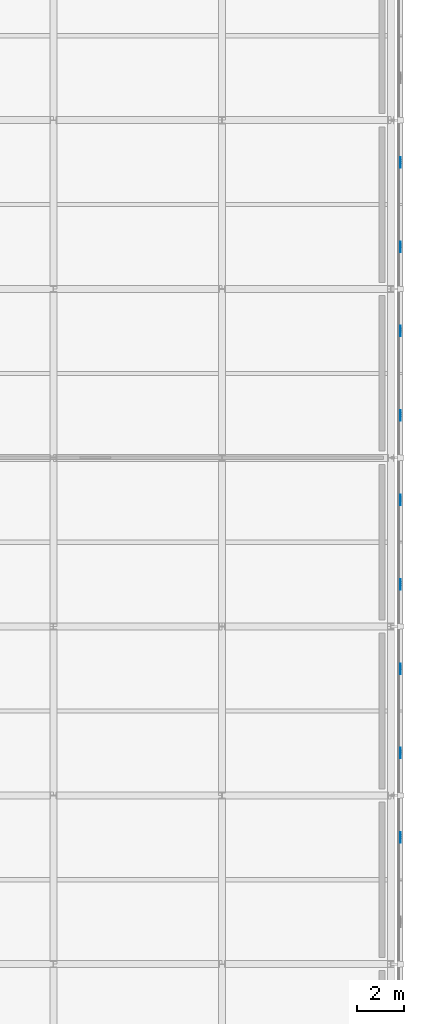
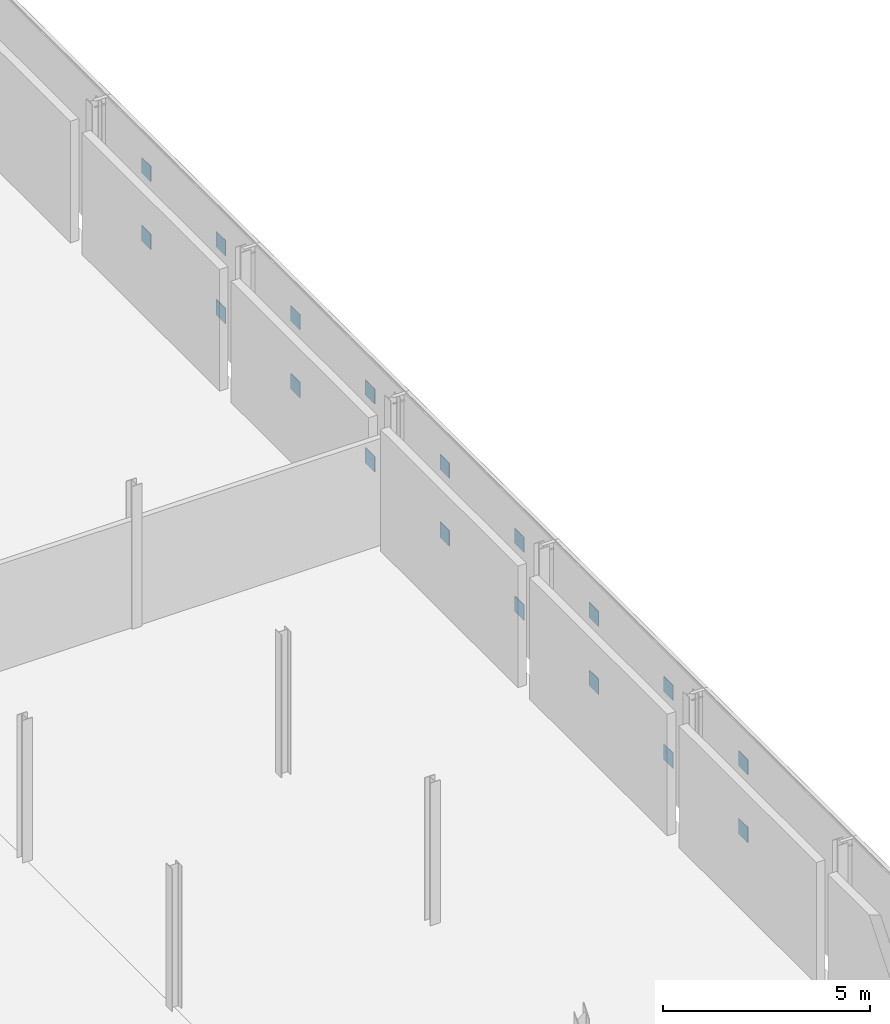
# One storey, part 114 of 146: 18 plates.
"""IFC4 building model written with IfcOpenShell, lengths in metres."""

import ifcopenshell
import ifcopenshell.guid

model = None  # the IFC model being written
_history = None  # IfcOwnerHistory: only IFC2X3 demands one
_inside = {}  # id of a spatial element -> (the spatial element, [elements in it])
_under = {}  # id of a project, library or spatial element -> (it, [spatial elements below it])
_declared = {}  # id of a project -> (the project, [libraries it declares])
_typed = {}  # id of a type object -> (the type object, [elements of that type])
_made_of = {}  # id of a material, layer set ... -> (it, [elements and type objects made of it])


def new_model(schema):
    """Start an empty IFC model of exactly this schema.

    Asked for "IFC4X3", IfcOpenShell would pick the latest addendum, in which some entities
    have other attributes; the version numbers below select the first issue.
    IFC2X3 requires an IfcOwnerHistory on every rooted entity: one is made here for all.
    """
    global model, _history
    if schema == "IFC4X3":
        model = ifcopenshell.file(schema_version=(4, 3, 0, 0))
    else:
        model = ifcopenshell.file(schema=schema)
    _inside.clear()
    _under.clear()
    _declared.clear()
    _typed.clear()
    _made_of.clear()
    _history = None
    if model.schema == "IFC2X3":
        org = make("IfcOrganization", Name="unknown")
        user = make(
            "IfcPersonAndOrganization",
            ThePerson=make("IfcPerson", FamilyName="unknown"),
            TheOrganization=org,
        )
        app = make(
            "IfcApplication",
            ApplicationDeveloper=org,
            Version="unknown",
            ApplicationFullName="unknown",
            ApplicationIdentifier="unknown",
        )
        _history = make(
            "IfcOwnerHistory",
            OwningUser=user,
            OwningApplication=app,
            ChangeAction="ADDED",
            CreationDate=0,
        )
    return model


def make(cls, **values):
    """One entity of the class cls with the attributes given. An attribute that is None is left unset."""
    return model.create_entity(
        cls, **{name: value for name, value in values.items() if value is not None}
    )


def rooted(cls, **values):
    """An entity with a GlobalId (a new one), such as an element, a storey or a relation."""
    return make(cls, GlobalId=ifcopenshell.guid.new(), OwnerHistory=_history, **values)


def si_unit(unit_type, name, prefix=None):
    """IfcSIUnit, for example si_unit("LENGTHUNIT", "METRE", prefix="MILLI")."""
    return make("IfcSIUnit", UnitType=unit_type, Prefix=prefix, Name=name)


def assignment(units):
    """IfcUnitAssignment: the units of a project."""
    return None if units is None else make("IfcUnitAssignment", Units=units)


def point(xyz):
    """IfcCartesianPoint."""
    return None if xyz is None else make("IfcCartesianPoint", Coordinates=xyz)


def direction(xyz):
    """IfcDirection."""
    return None if xyz is None else make("IfcDirection", DirectionRatios=xyz)


def frame(location, z_axis=None, x_axis=None):
    """IfcAxis2Placement3D, a coordinate frame: its origin and axes. An axis left out is left unset."""
    return make(
        "IfcAxis2Placement3D",
        Location=point(location),
        Axis=direction(z_axis),
        RefDirection=direction(x_axis),
    )


def frame_2d(location, x_axis=None):
    """IfcAxis2Placement2D, a coordinate frame in the plane: its origin and x axis."""
    return make(
        "IfcAxis2Placement2D", Location=point(location), RefDirection=direction(x_axis)
    )


def origin():
    """The frame at (0, 0, 0) with its axes left unset."""
    return frame((0.0, 0.0, 0.0))


def origin_2d():
    """The frame at (0, 0) in the plane with its x axis left unset."""
    return frame_2d((0.0, 0.0))


def place(relative_to, where):
    """IfcLocalPlacement: puts the frame where relative to a parent placement (None: the world)."""
    return make(
        "IfcLocalPlacement", PlacementRelTo=relative_to, RelativePlacement=where
    )


def context(
    kind, dimensions, precision=None, world=None, true_north=None, identifier=None
):
    """IfcGeometricRepresentationContext, for example the 3D "Model" context."""
    return make(
        "IfcGeometricRepresentationContext",
        ContextIdentifier=identifier,
        ContextType=kind,
        CoordinateSpaceDimension=dimensions,
        Precision=precision,
        WorldCoordinateSystem=world,
        TrueNorth=true_north,
    )


def subcontext(parent, identifier, kind, view, scale=None):
    """IfcGeometricRepresentationSubContext, for example "Body" below "Model"."""
    return make(
        "IfcGeometricRepresentationSubContext",
        ContextIdentifier=identifier,
        ContextType=kind,
        ParentContext=parent,
        TargetScale=scale,
        TargetView=view,
    )


def project(units=None, contexts=None):
    """IfcProject with its units and contexts."""
    return rooted(
        "IfcProject",
        Name="project",
        RepresentationContexts=contexts,
        UnitsInContext=assignment(units),
    )


def spatial(cls, under=None, at=None, **own):
    """A site, building, storey or space (cls), placed at a placement, below another one or the project."""
    s = rooted(cls, ObjectPlacement=at, **own)
    if under is not None:
        _under.setdefault(under.id(), (under, []))[1].append(s)
    return s


def profile(cls, at=None, kind="AREA", **sizes):
    """A parametric profile (cls). Its sizes go by their IFC names, for example OverallWidth=200.0."""
    return make(cls, ProfileType=kind, Position=at, **sizes)


def rectangle(**sizes):
    """IfcRectangleProfileDef."""
    return profile("IfcRectangleProfileDef", **sizes)


def extrude(swept, where, along, depth):
    """IfcExtrudedAreaSolid: the profile swept, set in the frame where, extruded along a direction by depth."""
    return make(
        "IfcExtrudedAreaSolid",
        SweptArea=swept,
        Position=where,
        ExtrudedDirection=direction(along),
        Depth=depth,
    )


def shape(context_of_items, identifier, shape_type, items):
    """IfcShapeRepresentation: the items that make up one representation, for example the "Body"."""
    return make(
        "IfcShapeRepresentation",
        ContextOfItems=context_of_items,
        RepresentationIdentifier=identifier,
        RepresentationType=shape_type,
        Items=items,
    )


def material(Name=None, Category=None):
    """IfcMaterial."""
    return make("IfcMaterial", Name=Name, Category=Category)


def layer(
    of_material, thickness, ventilated=None, Name=None, Category=None, Priority=None
):
    """IfcMaterialLayer: one layer of a wall or slab, of a material (None: an air gap)."""
    return make(
        "IfcMaterialLayer",
        Material=of_material,
        LayerThickness=thickness,
        IsVentilated=ventilated,
        Name=Name,
        Category=Category,
        Priority=Priority,
    )


def layer_set(layers, Name=None):
    """IfcMaterialLayerSet."""
    return make("IfcMaterialLayerSet", MaterialLayers=layers, LayerSetName=Name)


def made_of(thing, what):
    """Note that an element or type object is made of a material, layer set ...; save() writes the relation."""
    if what is not None:
        _made_of.setdefault(what.id(), (what, []))[1].append(thing)
    return thing


def type_object(cls, material=None, **own):
    """A type object (cls), such as IfcWallType, which elements share."""
    return made_of(rooted(cls, **own), material)


def element(
    cls,
    number,
    at=None,
    inside=None,
    cuts=None,
    type_object=None,
    material=None,
    context=None,
    identifier="Body",
    shape_type=None,
    held_by="IfcProductDefinitionShape",
    body=None,
    shapes=None,
    **own,
):
    """One element of the class cls, such as IfcWall. Its Tag is "e" and its number.

    at: its placement. inside: the storey or other place that contains it. cuts: it is an
    opening in that element (IfcRelVoidsElement). A single representation is given by context,
    identifier, shape_type and body (its items); several are given by shapes. held_by: the class
    of the entity that holds the representations. save() writes the other relations.
    """
    e = rooted(cls, Tag="e%d" % number, ObjectPlacement=at, **own)
    if body is not None:
        shapes = [shape(context, identifier, shape_type, body)]
    if shapes is not None:
        e.Representation = make(held_by, Representations=shapes)
    if inside is not None:
        _inside.setdefault(inside.id(), (inside, []))[1].append(e)
    if cuts is not None:
        rooted(
            "IfcRelVoidsElement", RelatingBuildingElement=cuts, RelatedOpeningElement=e
        )
    if type_object is not None:
        _typed.setdefault(type_object.id(), (type_object, []))[1].append(e)
    return made_of(e, material)


def aggregate(whole, parts):
    """IfcRelAggregates: a whole, such as a stair, and the parts it consists of."""
    return rooted("IfcRelAggregates", RelatingObject=whole, RelatedObjects=parts)


def save(model, path):
    """Write the relations noted so far, then the file.

    IfcRelAggregates (storeys below a building ...), IfcRelContainedInSpatialStructure (elements
    in a storey), IfcRelDefinesByType, IfcRelAssociatesMaterial and IfcRelDeclares: one each for
    every whole, place, type object, material and project.
    """
    for whole, parts in _under.values():
        aggregate(whole, parts)
    for where, things in _inside.values():
        rooted(
            "IfcRelContainedInSpatialStructure",
            RelatedElements=things,
            RelatingStructure=where,
        )
    for kind, things in _typed.values():
        rooted("IfcRelDefinesByType", RelatedObjects=things, RelatingType=kind)
    for what, things in _made_of.values():
        rooted("IfcRelAssociatesMaterial", RelatedObjects=things, RelatingMaterial=what)
    for by, libraries in _declared.values():
        rooted("IfcRelDeclares", RelatingContext=by, RelatedDefinitions=libraries)
    model.write(path)


model = new_model("IFC4")

# Units and contexts
model_context = context("Model", 3, precision=1e-05, world=origin(), true_north=direction((0.0, 1.0)))
body_context = subcontext(model_context, "Body", "Model", "MODEL_VIEW")
ifc_project = project(units=[si_unit("LENGTHUNIT", "METRE"), si_unit("AREAUNIT", "SQUARE_METRE"), si_unit("VOLUMEUNIT", "CUBIC_METRE"), si_unit("PLANEANGLEUNIT", "RADIAN"), si_unit("MASSUNIT", "GRAM", prefix="KILO")], contexts=[model_context])

# Site, building, storey
site_placement = place(None, origin())
site = spatial("IfcSite", under=ifc_project, at=site_placement, CompositionType="ELEMENT")
building_placement = place(site_placement, origin())
building = spatial("IfcBuilding", under=site, at=building_placement, Name="Zlatovets Crest Museum", CompositionType="ELEMENT")
storey_placement = place(building_placement, frame((0.0, 0.0, 4.5)))
storey = spatial("IfcBuildingStorey", under=building, at=storey_placement, Name="L01", CompositionType="ELEMENT", Elevation=4.5)

# Plates
ifc_material = material(Name="Structural steel S355J2", Category="steel")
ifc_layer = layer(ifc_material, 0.02001953125)
ifc_layer_set = layer_set([ifc_layer], Name="Structural steel S355J2")
plate_type = type_object("IfcPlateType", Name="Gusset_GP-04", PredefinedType="USERDEFINED", material=ifc_layer_set)
for number, where, z_axis, x_axis, name in (
    (1, (166.02001953125, 27.0, 0.875), (0.0, 0.0, 1.0), (1.0, 0.0, 0.0), "X-Brace Crossing Node Gusset Plate GP-04"),
    (2, (166.02001953125, 27.0, 2.875), (0.0, 0.0, 1.0), (1.0, 0.0, 0.0), "X-Brace Crossing Node Gusset Plate GP-04"),
    (3, (166.02001953125, 30.60009765625, 0.875), (0.0, 0.0, 1.0), (1.0, 0.0, 0.0), "X-Brace Crossing Node Gusset Plate GP-04"),
    (4, (166.02001953125, 34.199951171875, 0.875), (0.0, 0.0, 1.0), (1.0, 0.0, 0.0), "X-Brace Crossing Node Gusset Plate GP-04"),
    (5, (166.02001953125, 30.60009765625, 2.875), (0.0, 0.0, 1.0), (1.0, 0.0, 0.0), "X-Brace Crossing Node Gusset Plate GP-04"),
    (6, (166.02001953125, 34.199951171875, 2.875), (0.0, 0.0, 1.0), (1.0, 0.0, 0.0), "X-Brace Crossing Node Gusset Plate GP-04"),
    (7, (166.02001953125, 37.800048828125, 0.875), (0.0, 0.0, 1.0), (1.0, 0.0, 0.0), "X-Brace Crossing Node Gusset Plate GP-04"),
    (8, (166.02001953125, 41.39990234375, 0.875), (0.0, 0.0, 1.0), (1.0, 0.0, 0.0), "X-Brace Crossing Node Gusset Plate GP-04"),
    (9, (166.02001953125, 37.800048828125, 2.875), (0.0, 0.0, 1.0), (1.0, 0.0, 0.0), "X-Brace Crossing Node Gusset Plate GP-04"),
    (10, (166.02001953125, 41.39990234375, 2.875), (0.0, 0.0, 1.0), (1.0, 0.0, 0.0), "X-Brace Crossing Node Gusset Plate GP-04"),
    (11, (166.02001953125, 45.0, 0.875), (0.0, 0.0, 1.0), (1.0, 0.0, 0.0), "X-Brace Crossing Node Gusset Plate GP-04"),
    (12, (166.02001953125, 48.60009765625, 0.875), (0.0, 0.0, 1.0), (1.0, 0.0, 0.0), "X-Brace Crossing Node Gusset Plate GP-04"),
    (13, (166.02001953125, 45.0, 2.875), (0.0, 0.0, 1.0), (1.0, 0.0, 0.0), "X-Brace Crossing Node Gusset Plate GP-04"),
    (14, (166.02001953125, 48.60009765625, 2.875), (0.0, 0.0, 1.0), (1.0, 0.0, 0.0), "X-Brace Crossing Node Gusset Plate GP-04"),
    (15, (166.02001953125, 52.199951171875, 0.875), (0.0, 0.0, 1.0), (1.0, 0.0, 0.0), "X-Brace Crossing Node Gusset Plate GP-04"),
    (16, (166.02001953125, 55.800048828125, 0.875), (0.0, 0.0, 1.0), (1.0, 0.0, 0.0), "X-Brace Crossing Node Gusset Plate GP-04"),
    (17, (166.02001953125, 52.199951171875, 2.875), (0.0, 0.0, 1.0), (1.0, 0.0, 0.0), "X-Brace Crossing Node Gusset Plate GP-04"),
    (18, (166.02001953125, 55.800048828125, 2.875), (0.0, 0.0, 1.0), (1.0, 0.0, 0.0), "X-Brace Crossing Node Gusset Plate GP-04"),
):
    element("IfcPlate", number, at=place(storey_placement, frame(where, z_axis=z_axis, x_axis=x_axis)), inside=storey, type_object=plate_type, Name=name, ObjectType="GUSSET", PredefinedType="USERDEFINED", context=body_context, shape_type="SweptSolid", body=[
        extrude(rectangle(XDim=0.02001953125, YDim=0.449951171875, at=origin_2d()), origin(), (0.0, 0.0, 1.0), 0.449951171875),
    ])

save(model, "model.ifc")
